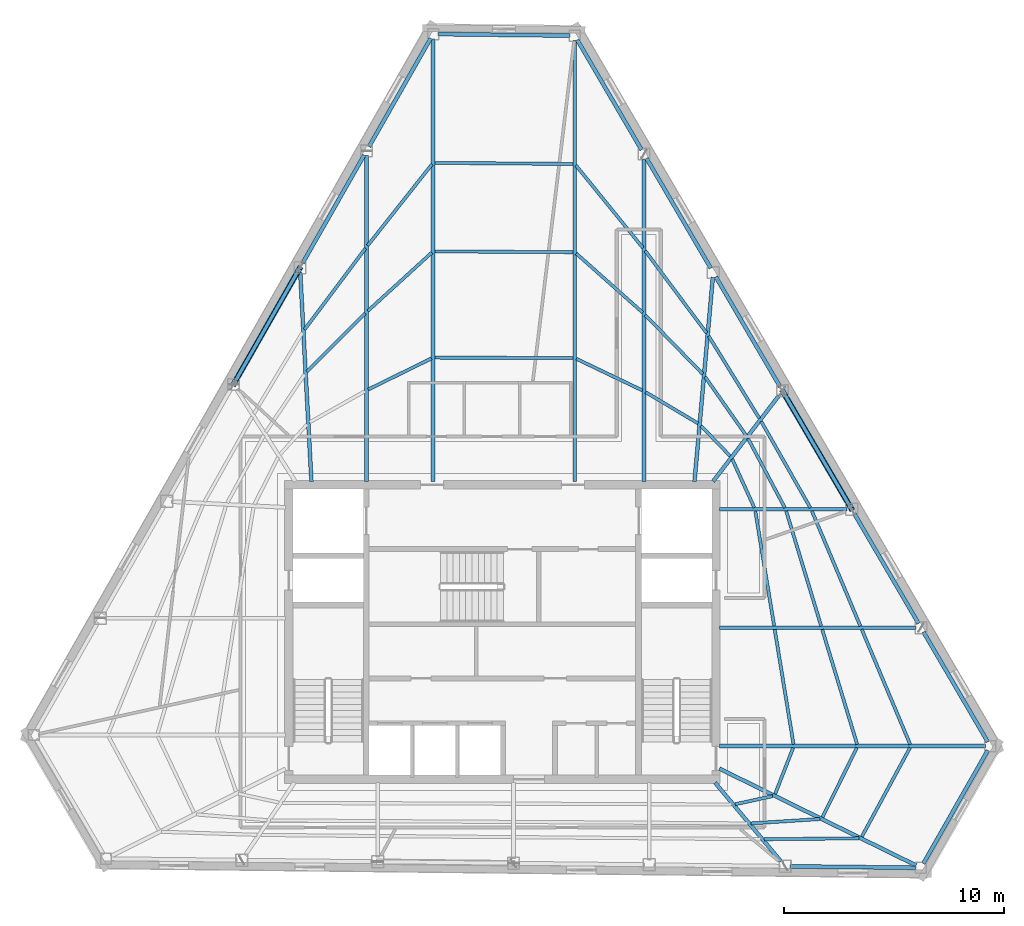
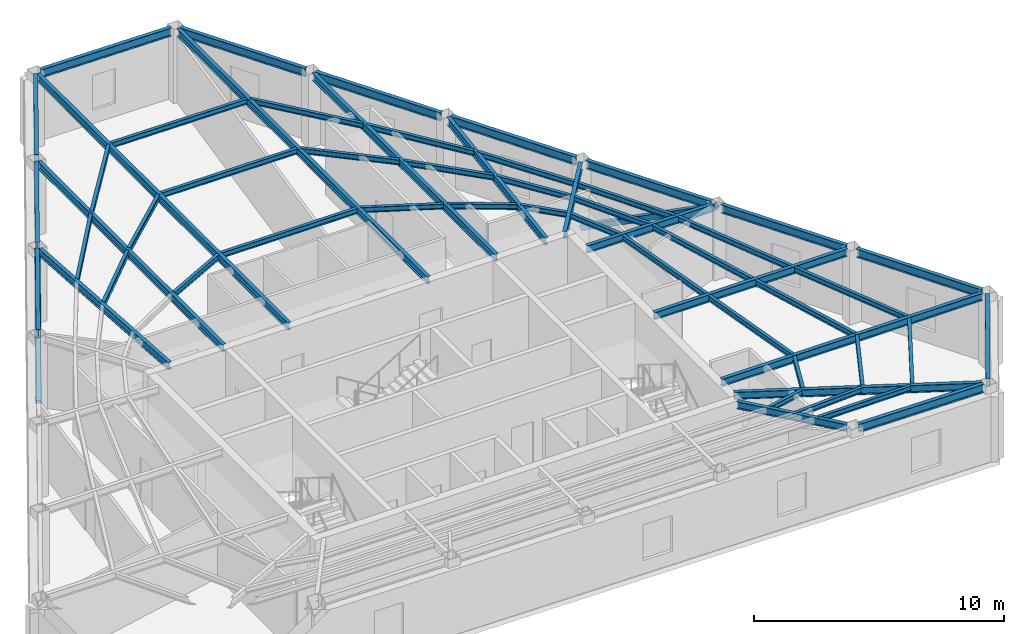
# One storey, part 2 of 10: 56 beams, 2 members.
"""IFC4 building model written with IfcOpenShell, lengths in metres."""

import ifcopenshell
import ifcopenshell.guid

model = None  # the IFC model being written
_history = None  # IfcOwnerHistory: only IFC2X3 demands one
_inside = {}  # id of a spatial element -> (the spatial element, [elements in it])
_under = {}  # id of a project, library or spatial element -> (it, [spatial elements below it])
_declared = {}  # id of a project -> (the project, [libraries it declares])
_typed = {}  # id of a type object -> (the type object, [elements of that type])
_made_of = {}  # id of a material, layer set ... -> (it, [elements and type objects made of it])


def new_model(schema):
    """Start an empty IFC model of exactly this schema.

    Asked for "IFC4X3", IfcOpenShell would pick the latest addendum, in which some entities
    have other attributes; the version numbers below select the first issue.
    IFC2X3 requires an IfcOwnerHistory on every rooted entity: one is made here for all.
    """
    global model, _history
    if schema == "IFC4X3":
        model = ifcopenshell.file(schema_version=(4, 3, 0, 0))
    else:
        model = ifcopenshell.file(schema=schema)
    _inside.clear()
    _under.clear()
    _declared.clear()
    _typed.clear()
    _made_of.clear()
    _history = None
    if model.schema == "IFC2X3":
        org = make("IfcOrganization", Name="unknown")
        user = make(
            "IfcPersonAndOrganization",
            ThePerson=make("IfcPerson", FamilyName="unknown"),
            TheOrganization=org,
        )
        app = make(
            "IfcApplication",
            ApplicationDeveloper=org,
            Version="unknown",
            ApplicationFullName="unknown",
            ApplicationIdentifier="unknown",
        )
        _history = make(
            "IfcOwnerHistory",
            OwningUser=user,
            OwningApplication=app,
            ChangeAction="ADDED",
            CreationDate=0,
        )
    return model


def make(cls, **values):
    """One entity of the class cls with the attributes given. An attribute that is None is left unset."""
    return model.create_entity(
        cls, **{name: value for name, value in values.items() if value is not None}
    )


def rooted(cls, **values):
    """An entity with a GlobalId (a new one), such as an element, a storey or a relation."""
    return make(cls, GlobalId=ifcopenshell.guid.new(), OwnerHistory=_history, **values)


def si_unit(unit_type, name, prefix=None):
    """IfcSIUnit, for example si_unit("LENGTHUNIT", "METRE", prefix="MILLI")."""
    return make("IfcSIUnit", UnitType=unit_type, Prefix=prefix, Name=name)


def assignment(units):
    """IfcUnitAssignment: the units of a project."""
    return None if units is None else make("IfcUnitAssignment", Units=units)


def point(xyz):
    """IfcCartesianPoint."""
    return None if xyz is None else make("IfcCartesianPoint", Coordinates=xyz)


def direction(xyz):
    """IfcDirection."""
    return None if xyz is None else make("IfcDirection", DirectionRatios=xyz)


def frame(location, z_axis=None, x_axis=None):
    """IfcAxis2Placement3D, a coordinate frame: its origin and axes. An axis left out is left unset."""
    return make(
        "IfcAxis2Placement3D",
        Location=point(location),
        Axis=direction(z_axis),
        RefDirection=direction(x_axis),
    )


def frame_2d(location, x_axis=None):
    """IfcAxis2Placement2D, a coordinate frame in the plane: its origin and x axis."""
    return make(
        "IfcAxis2Placement2D", Location=point(location), RefDirection=direction(x_axis)
    )


def origin():
    """The frame at (0, 0, 0) with its axes left unset."""
    return frame((0.0, 0.0, 0.0))


def origin_2d():
    """The frame at (0, 0) in the plane with its x axis left unset."""
    return frame_2d((0.0, 0.0))


def place(relative_to, where):
    """IfcLocalPlacement: puts the frame where relative to a parent placement (None: the world)."""
    return make(
        "IfcLocalPlacement", PlacementRelTo=relative_to, RelativePlacement=where
    )


def context(
    kind, dimensions, precision=None, world=None, true_north=None, identifier=None
):
    """IfcGeometricRepresentationContext, for example the 3D "Model" context."""
    return make(
        "IfcGeometricRepresentationContext",
        ContextIdentifier=identifier,
        ContextType=kind,
        CoordinateSpaceDimension=dimensions,
        Precision=precision,
        WorldCoordinateSystem=world,
        TrueNorth=true_north,
    )


def subcontext(parent, identifier, kind, view, scale=None):
    """IfcGeometricRepresentationSubContext, for example "Body" below "Model"."""
    return make(
        "IfcGeometricRepresentationSubContext",
        ContextIdentifier=identifier,
        ContextType=kind,
        ParentContext=parent,
        TargetScale=scale,
        TargetView=view,
    )


def project(units=None, contexts=None):
    """IfcProject with its units and contexts."""
    return rooted(
        "IfcProject",
        Name="project",
        RepresentationContexts=contexts,
        UnitsInContext=assignment(units),
    )


def spatial(cls, under=None, at=None, **own):
    """A site, building, storey or space (cls), placed at a placement, below another one or the project."""
    s = rooted(cls, ObjectPlacement=at, **own)
    if under is not None:
        _under.setdefault(under.id(), (under, []))[1].append(s)
    return s


def profile(cls, at=None, kind="AREA", **sizes):
    """A parametric profile (cls). Its sizes go by their IFC names, for example OverallWidth=200.0."""
    return make(cls, ProfileType=kind, Position=at, **sizes)


def hollow_rectangle(**sizes):
    """IfcRectangleHollowProfileDef."""
    return profile("IfcRectangleHollowProfileDef", **sizes)


def i_section(**sizes):
    """IfcIShapeProfileDef."""
    return profile("IfcIShapeProfileDef", **sizes)


def extrude(swept, where, along, depth):
    """IfcExtrudedAreaSolid: the profile swept, set in the frame where, extruded along a direction by depth."""
    return make(
        "IfcExtrudedAreaSolid",
        SweptArea=swept,
        Position=where,
        ExtrudedDirection=direction(along),
        Depth=depth,
    )


def shape(context_of_items, identifier, shape_type, items):
    """IfcShapeRepresentation: the items that make up one representation, for example the "Body"."""
    return make(
        "IfcShapeRepresentation",
        ContextOfItems=context_of_items,
        RepresentationIdentifier=identifier,
        RepresentationType=shape_type,
        Items=items,
    )


def material(Name=None, Category=None):
    """IfcMaterial."""
    return make("IfcMaterial", Name=Name, Category=Category)


def material_profile(
    of_material, cross_section, Name=None, Category=None, Priority=None
):
    """IfcMaterialProfile: a cross section and its material."""
    return make(
        "IfcMaterialProfile",
        Name=Name,
        Material=of_material,
        Profile=cross_section,
        Priority=Priority,
        Category=Category,
    )


def profile_set(profiles, Name=None, composite=None):
    """IfcMaterialProfileSet."""
    return make(
        "IfcMaterialProfileSet",
        Name=Name,
        MaterialProfiles=profiles,
        CompositeProfile=composite,
    )


def made_of(thing, what):
    """Note that an element or type object is made of a material, layer set ...; save() writes the relation."""
    if what is not None:
        _made_of.setdefault(what.id(), (what, []))[1].append(thing)
    return thing


def type_object(cls, material=None, **own):
    """A type object (cls), such as IfcWallType, which elements share."""
    return made_of(rooted(cls, **own), material)


def element(
    cls,
    number,
    at=None,
    inside=None,
    cuts=None,
    type_object=None,
    material=None,
    context=None,
    identifier="Body",
    shape_type=None,
    held_by="IfcProductDefinitionShape",
    body=None,
    shapes=None,
    **own,
):
    """One element of the class cls, such as IfcWall. Its Tag is "e" and its number.

    at: its placement. inside: the storey or other place that contains it. cuts: it is an
    opening in that element (IfcRelVoidsElement). A single representation is given by context,
    identifier, shape_type and body (its items); several are given by shapes. held_by: the class
    of the entity that holds the representations. save() writes the other relations.
    """
    e = rooted(cls, Tag="e%d" % number, ObjectPlacement=at, **own)
    if body is not None:
        shapes = [shape(context, identifier, shape_type, body)]
    if shapes is not None:
        e.Representation = make(held_by, Representations=shapes)
    if inside is not None:
        _inside.setdefault(inside.id(), (inside, []))[1].append(e)
    if cuts is not None:
        rooted(
            "IfcRelVoidsElement", RelatingBuildingElement=cuts, RelatedOpeningElement=e
        )
    if type_object is not None:
        _typed.setdefault(type_object.id(), (type_object, []))[1].append(e)
    return made_of(e, material)


def aggregate(whole, parts):
    """IfcRelAggregates: a whole, such as a stair, and the parts it consists of."""
    return rooted("IfcRelAggregates", RelatingObject=whole, RelatedObjects=parts)


def save(model, path):
    """Write the relations noted so far, then the file.

    IfcRelAggregates (storeys below a building ...), IfcRelContainedInSpatialStructure (elements
    in a storey), IfcRelDefinesByType, IfcRelAssociatesMaterial and IfcRelDeclares: one each for
    every whole, place, type object, material and project.
    """
    for whole, parts in _under.values():
        aggregate(whole, parts)
    for where, things in _inside.values():
        rooted(
            "IfcRelContainedInSpatialStructure",
            RelatedElements=things,
            RelatingStructure=where,
        )
    for kind, things in _typed.values():
        rooted("IfcRelDefinesByType", RelatedObjects=things, RelatingType=kind)
    for what, things in _made_of.values():
        rooted("IfcRelAssociatesMaterial", RelatedObjects=things, RelatingMaterial=what)
    for by, libraries in _declared.values():
        rooted("IfcRelDeclares", RelatingContext=by, RelatedDefinitions=libraries)
    model.write(path)


model = new_model("IFC4")

# Units and contexts
model_context = context("Model", 3, precision=1e-05, world=origin(), true_north=direction((0.0, 1.0)))
body_context = subcontext(model_context, "Body", "Model", "MODEL_VIEW")
ifc_project = project(units=[si_unit("LENGTHUNIT", "METRE"), si_unit("AREAUNIT", "SQUARE_METRE"), si_unit("VOLUMEUNIT", "CUBIC_METRE"), si_unit("PLANEANGLEUNIT", "RADIAN"), si_unit("MASSUNIT", "GRAM", prefix="KILO")], contexts=[model_context])

# Site, building, storey
site_placement = place(None, origin())
site = spatial("IfcSite", under=ifc_project, at=site_placement, CompositionType="ELEMENT")
building_placement = place(site_placement, origin())
building = spatial("IfcBuilding", under=site, at=building_placement, Name="Kavelnor Concourse Tower", CompositionType="ELEMENT")
storey_placement = place(building_placement, frame((0.0, 0.0, 251.050048828125)))
storey = spatial("IfcBuildingStorey", under=building, at=storey_placement, Name="L63", CompositionType="ELEMENT", Elevation=251.050048828125)

# Beams
ifc_material = material(Name="Steel Grade 350", Category="steel")
ifc_material_profile_1 = material_profile(ifc_material, i_section(OverallWidth=0.14599609375, OverallDepth=0.256103515625, WebThickness=0.00634765625, FlangeThickness=0.010986328125, at=origin_2d()), Name="250UB37")
ifc_profile_set_1 = profile_set([ifc_material_profile_1], Name="Steel Grade 350")
beam_type_1 = type_object("IfcBeamType", Name="BM-JOIST-250", PredefinedType="JOIST", material=ifc_profile_set_1)
beam_1_placement = place(storey_placement, frame((48.584228515625, 8.26708984375, 3.48193359375), z_axis=(0.977091565739, 0.212819341606, 0.0), x_axis=(-0.212819341606, 0.977091565739, 0.0)))
element("IfcBeam", 1, at=beam_1_placement, inside=storey, type_object=beam_type_1, Name="L63 Secondary Composite Joist 07-1", PredefinedType="JOIST", context=body_context, shape_type="SweptSolid", body=[
    extrude(i_section(OverallWidth=0.14599609375, OverallDepth=0.256103515625, WebThickness=0.00634765625, FlangeThickness=0.010986328125, at=origin_2d()), origin(), (0.0, 0.0, 1.0), 1.74267578125),
])
beam_2_placement = place(storey_placement, frame((49.30419921875, 7.396728515625, 3.48193359375), z_axis=(0.998010196757, 0.063052733243, 0.0), x_axis=(-0.063052733243, 0.998010196757, 0.0)))
element("IfcBeam", 2, at=beam_2_placement, inside=storey, type_object=beam_type_1, Name="L63 Secondary Composite Joist 07-2", PredefinedType="JOIST", context=body_context, shape_type="SweptSolid", body=[
    extrude(i_section(OverallWidth=0.14599609375, OverallDepth=0.256103515625, WebThickness=0.00634765625, FlangeThickness=0.010986328125, at=origin_2d()), origin(), (0.0, 0.0, 1.0), 3.132568359375),
])
beam_3_placement = place(storey_placement, frame((49.903076171875, 6.67724609375, 3.48193359375), z_axis=(0.999954281384, 0.009562172441, 0.0), x_axis=(-0.009562172441, 0.999954281384, 0.0)))
element("IfcBeam", 3, at=beam_3_placement, inside=storey, type_object=beam_type_1, Name="L63 Secondary Composite Joist 07-3", PredefinedType="JOIST", context=body_context, shape_type="SweptSolid", body=[
    extrude(i_section(OverallWidth=0.14599609375, OverallDepth=0.256103515625, WebThickness=0.00634765625, FlangeThickness=0.010986328125, at=origin_2d()), origin(), (0.0, 0.0, 1.0), 4.31494140625),
])
beam_4_placement = place(storey_placement, frame((50.396728515625, 8.731689453125, 3.48193359375), z_axis=(0.363938496644, 0.931422981604, 0.0), x_axis=(-0.931422981604, 0.363938496644, 0.0)))
element("IfcBeam", 4, at=beam_4_placement, inside=storey, type_object=beam_type_1, Name="L63 Secondary Composite Joist 08-1", PredefinedType="JOIST", context=body_context, shape_type="SweptSolid", body=[
    extrude(i_section(OverallWidth=0.14599609375, OverallDepth=0.256103515625, WebThickness=0.00634765625, FlangeThickness=0.010986328125, at=origin_2d()), origin(), (0.0, 0.0, 1.0), 2.25732421875),
])
beam_5_placement = place(storey_placement, frame((52.548583984375, 7.6728515625, 3.48193359375), z_axis=(0.443753156488, 0.89614905909, 0.0), x_axis=(-0.89614905909, 0.443753156488, 0.0)))
element("IfcBeam", 5, at=beam_5_placement, inside=storey, type_object=beam_type_1, Name="L63 Secondary Composite Joist 08-2", PredefinedType="JOIST", context=body_context, shape_type="SweptSolid", body=[
    extrude(i_section(OverallWidth=0.14599609375, OverallDepth=0.256103515625, WebThickness=0.00634765625, FlangeThickness=0.010986328125, at=origin_2d()), origin(), (0.0, 0.0, 1.0), 3.531005859375),
])
beam_6_placement = place(storey_placement, frame((54.3388671875, 6.79150390625, 3.48193359375), z_axis=(0.476624814067, 0.879106811836, 0.0), x_axis=(-0.879106811836, 0.476624814067, 0.0)))
element("IfcBeam", 6, at=beam_6_placement, inside=storey, type_object=beam_type_1, Name="L63 Secondary Composite Joist 08-3", PredefinedType="JOIST", context=body_context, shape_type="SweptSolid", body=[
    extrude(i_section(OverallWidth=0.14599609375, OverallDepth=0.256103515625, WebThickness=0.00634765625, FlangeThickness=0.010986328125, at=origin_2d()), origin(), (0.0, 0.0, 1.0), 4.603515625),
])
beam_7_placement = place(storey_placement, frame((51.23486328125, 10.991455078125, 3.48193359375), z_axis=(-0.161600481046, 0.986856263356, 0.0), x_axis=(-0.986856263356, -0.161600481046, 0.0)))
element("IfcBeam", 7, at=beam_7_placement, inside=storey, type_object=beam_type_1, Name="L63 Secondary Composite Joist 09-1", PredefinedType="JOIST", context=body_context, shape_type="SweptSolid", body=[
    extrude(i_section(OverallWidth=0.14599609375, OverallDepth=0.256103515625, WebThickness=0.00634765625, FlangeThickness=0.010986328125, at=origin_2d()), origin(), (0.0, 0.0, 1.0), 5.292236328125),
])
beam_8_placement = place(storey_placement, frame((54.128173828125, 10.989013671875, 3.48193359375), z_axis=(-0.290941123025, 0.956740959159, 0.0), x_axis=(-0.956740959159, -0.290941123025, 0.0)))
element("IfcBeam", 8, at=beam_8_placement, inside=storey, type_object=beam_type_1, Name="L63 Secondary Composite Joist 09-2", PredefinedType="JOIST", context=body_context, shape_type="SweptSolid", body=[
    extrude(i_section(OverallWidth=0.14599609375, OverallDepth=0.256103515625, WebThickness=0.00634765625, FlangeThickness=0.010986328125, at=origin_2d()), origin(), (0.0, 0.0, 1.0), 5.463623046875),
])
beam_9_placement = place(storey_placement, frame((56.540283203125, 10.986083984375, 3.48193359375), z_axis=(-0.388047388956, 0.921639421859, 0.0), x_axis=(-0.921639421859, -0.388047388956, 0.0)))
element("IfcBeam", 9, at=beam_9_placement, inside=storey, type_object=beam_type_1, Name="L63 Secondary Composite Joist 09-3", PredefinedType="JOIST", context=body_context, shape_type="SweptSolid", body=[
    extrude(i_section(OverallWidth=0.14599609375, OverallDepth=0.256103515625, WebThickness=0.00634765625, FlangeThickness=0.010986328125, at=origin_2d()), origin(), (0.0, 0.0, 1.0), 5.677978515625),
])
beam_10_placement = place(storey_placement, frame((50.353271484375, 16.375732421875, 3.48193359375), z_axis=(-0.161607838348, 0.986855058549, 0.0), x_axis=(-0.986855058549, -0.161607838348, 0.0)))
element("IfcBeam", 10, at=beam_10_placement, inside=storey, type_object=beam_type_1, Name="L63 Secondary Composite Joist 10-1", PredefinedType="JOIST", context=body_context, shape_type="SweptSolid", body=[
    extrude(i_section(OverallWidth=0.14599609375, OverallDepth=0.256103515625, WebThickness=0.00634765625, FlangeThickness=0.010986328125, at=origin_2d()), origin(), (0.0, 0.0, 1.0), 5.2919921875),
])
beam_11_placement = place(storey_placement, frame((52.490966796875, 16.373291015625, 3.48193359375), z_axis=(-0.290941123025, 0.956740959159, 0.0), x_axis=(-0.956740959159, -0.290941123025, 0.0)))
element("IfcBeam", 11, at=beam_11_placement, inside=storey, type_object=beam_type_1, Name="L63 Secondary Composite Joist 10-2", PredefinedType="JOIST", context=body_context, shape_type="SweptSolid", body=[
    extrude(i_section(OverallWidth=0.14599609375, OverallDepth=0.256103515625, WebThickness=0.00634765625, FlangeThickness=0.010986328125, at=origin_2d()), origin(), (0.0, 0.0, 1.0), 5.463623046875),
])
beam_12_placement = place(storey_placement, frame((54.273193359375, 16.37060546875, 3.48193359375), z_axis=(-0.388062766928, 0.921632946961, 0.0), x_axis=(-0.921632946961, -0.388062766928, 0.0)))
element("IfcBeam", 12, at=beam_12_placement, inside=storey, type_object=beam_type_1, Name="L63 Secondary Composite Joist 10-3", PredefinedType="JOIST", context=body_context, shape_type="SweptSolid", body=[
    extrude(i_section(OverallWidth=0.14599609375, OverallDepth=0.256103515625, WebThickness=0.00634765625, FlangeThickness=0.010986328125, at=origin_2d()), origin(), (0.0, 0.0, 1.0), 5.677978515625),
])
beam_13_placement = place(storey_placement, frame((49.450927734375, 21.753662109375, 3.48193359375), z_axis=(-0.414106199902, 0.910228573053, 0.0), x_axis=(-0.910228573053, -0.414106199902, 0.0)))
element("IfcBeam", 13, at=beam_13_placement, inside=storey, type_object=beam_type_1, Name="L63 Secondary Composite Joist 11-1", PredefinedType="JOIST", context=body_context, shape_type="SweptSolid", body=[
    extrude(i_section(OverallWidth=0.14599609375, OverallDepth=0.256103515625, WebThickness=0.00634765625, FlangeThickness=0.010986328125, at=origin_2d()), origin(), (0.0, 0.0, 1.0), 2.426025390625),
])
beam_14_placement = place(storey_placement, frame((50.839111328125, 21.75146484375, 3.48193359375), z_axis=(-0.469495907621, 0.88293464805, 0.0), x_axis=(-0.88293464805, -0.469495907621, 0.0)))
element("IfcBeam", 14, at=beam_14_placement, inside=storey, type_object=beam_type_1, Name="L63 Secondary Composite Joist 11-2", PredefinedType="JOIST", context=body_context, shape_type="SweptSolid", body=[
    extrude(i_section(OverallWidth=0.14599609375, OverallDepth=0.256103515625, WebThickness=0.00634765625, FlangeThickness=0.010986328125, at=origin_2d()), origin(), (0.0, 0.0, 1.0), 3.5625),
])
beam_15_placement = place(storey_placement, frame((51.99755859375, 21.75048828125, 3.48193359375), z_axis=(-0.494455232513, 0.869203096543, 0.0), x_axis=(-0.869203096543, -0.494455232513, 0.0)))
element("IfcBeam", 15, at=beam_15_placement, inside=storey, type_object=beam_type_1, Name="L63 Secondary Composite Joist 11-3", PredefinedType="JOIST", context=body_context, shape_type="SweptSolid", body=[
    extrude(i_section(OverallWidth=0.14599609375, OverallDepth=0.256103515625, WebThickness=0.00634765625, FlangeThickness=0.010986328125, at=origin_2d()), origin(), (0.0, 0.0, 1.0), 4.515380859375),
])
beam_16_placement = place(storey_placement, frame((48.355712890625, 24.095703125, 3.48193359375), z_axis=(-0.693458712292, 0.720496366643, 0.0), x_axis=(-0.720496366643, -0.693458712292, 0.0)))
element("IfcBeam", 16, at=beam_16_placement, inside=storey, type_object=beam_type_1, Name="L63 Secondary Composite Joist 12-1", PredefinedType="JOIST", context=body_context, shape_type="SweptSolid", body=[
    extrude(i_section(OverallWidth=0.14599609375, OverallDepth=0.256103515625, WebThickness=0.00634765625, FlangeThickness=0.010986328125, at=origin_2d()), origin(), (0.0, 0.0, 1.0), 1.92333984375),
])
beam_17_placement = place(storey_placement, frame((49.0810546875, 25.03662109375, 3.48193359375), z_axis=(-0.573950476696, 0.818890011113, 0.0), x_axis=(-0.818890011113, -0.573950476696, 0.0)))
element("IfcBeam", 17, at=beam_17_placement, inside=storey, type_object=beam_type_1, Name="L63 Secondary Composite Joist 12-2", PredefinedType="JOIST", context=body_context, shape_type="SweptSolid", body=[
    extrude(i_section(OverallWidth=0.14599609375, OverallDepth=0.256103515625, WebThickness=0.00634765625, FlangeThickness=0.010986328125, at=origin_2d()), origin(), (0.0, 0.0, 1.0), 3.25537109375),
])
beam_18_placement = place(storey_placement, frame((49.681396484375, 25.81640625, 3.48193359375), z_axis=(-0.524745132544, 0.851259388125, 0.0), x_axis=(-0.851259388125, -0.524745132544, 0.0)))
element("IfcBeam", 18, at=beam_18_placement, inside=storey, type_object=beam_type_1, Name="L63 Secondary Composite Joist 12-3", PredefinedType="JOIST", context=body_context, shape_type="SweptSolid", body=[
    extrude(i_section(OverallWidth=0.14599609375, OverallDepth=0.256103515625, WebThickness=0.00634765625, FlangeThickness=0.010986328125, at=origin_2d()), origin(), (0.0, 0.0, 1.0), 4.394287109375),
])
beam_19_placement = place(storey_placement, frame((46.894775390625, 25.58251953125, 3.48193359375), z_axis=(-0.85885408237, 0.512220328761, 0.0), x_axis=(-0.512220328761, -0.85885408237, 0.0)))
element("IfcBeam", 19, at=beam_19_placement, inside=storey, type_object=beam_type_1, Name="L63 Secondary Composite Joist 13-1", PredefinedType="JOIST", context=body_context, shape_type="SweptSolid", body=[
    extrude(i_section(OverallWidth=0.14599609375, OverallDepth=0.256103515625, WebThickness=0.00634765625, FlangeThickness=0.010986328125, at=origin_2d()), origin(), (0.0, 0.0, 1.0), 2.779296875),
])
beam_20_placement = place(storey_placement, frame((47.1083984375, 27.828369140625, 3.48193359375), z_axis=(-0.697954751692, 0.71614186066, 0.0), x_axis=(-0.71614186066, -0.697954751692, 0.0)))
element("IfcBeam", 20, at=beam_20_placement, inside=storey, type_object=beam_type_1, Name="L63 Secondary Composite Joist 13-2", PredefinedType="JOIST", context=body_context, shape_type="SweptSolid", body=[
    extrude(i_section(OverallWidth=0.14599609375, OverallDepth=0.256103515625, WebThickness=0.00634765625, FlangeThickness=0.010986328125, at=origin_2d()), origin(), (0.0, 0.0, 1.0), 3.745361328125),
])
beam_21_placement = place(storey_placement, frame((47.283203125, 29.692626953125, 3.48193359375), z_axis=(-0.598335731467, 0.801245500736, 0.0), x_axis=(-0.801245500736, -0.598335731467, 0.0)))
element("IfcBeam", 21, at=beam_21_placement, inside=storey, type_object=beam_type_1, Name="L63 Secondary Composite Joist 13-3", PredefinedType="JOIST", context=body_context, shape_type="SweptSolid", body=[
    extrude(i_section(OverallWidth=0.14599609375, OverallDepth=0.256103515625, WebThickness=0.00634765625, FlangeThickness=0.010986328125, at=origin_2d()), origin(), (0.0, 0.0, 1.0), 4.67431640625),
])
beam_22_placement = place(storey_placement, frame((44.36328125, 27.08349609375, 3.48193359375), z_axis=(-0.901929200126, 0.431883917229, 0.0), x_axis=(-0.431883917229, -0.901929200126, 0.0)))
element("IfcBeam", 22, at=beam_22_placement, inside=storey, type_object=beam_type_1, Name="L63 Secondary Composite Joist 14-1", PredefinedType="JOIST", context=body_context, shape_type="SweptSolid", body=[
    extrude(i_section(OverallWidth=0.14599609375, OverallDepth=0.256103515625, WebThickness=0.00634765625, FlangeThickness=0.010986328125, at=origin_2d()), origin(), (0.0, 0.0, 1.0), 3.32666015625),
])
beam_23_placement = place(storey_placement, frame((44.3759765625, 30.623779296875, 3.48193359375), z_axis=(-0.747256282488, 0.664535964627, 0.0), x_axis=(-0.664535964627, -0.747256282488, 0.0)))
element("IfcBeam", 23, at=beam_23_placement, inside=storey, type_object=beam_type_1, Name="L63 Secondary Composite Joist 14-2", PredefinedType="JOIST", context=body_context, shape_type="SweptSolid", body=[
    extrude(i_section(OverallWidth=0.14599609375, OverallDepth=0.256103515625, WebThickness=0.00634765625, FlangeThickness=0.010986328125, at=origin_2d()), origin(), (0.0, 0.0, 1.0), 4.04931640625),
])
beam_24_placement = place(storey_placement, frame((44.385498046875, 33.5673828125, 3.48193359375), z_axis=(-0.630423247611, 0.776251588644, 0.0), x_axis=(-0.776251588644, -0.630423247611, 0.0)))
element("IfcBeam", 24, at=beam_24_placement, inside=storey, type_object=beam_type_1, Name="L63 Secondary Composite Joist 14-3", PredefinedType="JOIST", context=body_context, shape_type="SweptSolid", body=[
    extrude(i_section(OverallWidth=0.14599609375, OverallDepth=0.256103515625, WebThickness=0.00634765625, FlangeThickness=0.010986328125, at=origin_2d()), origin(), (0.0, 0.0, 1.0), 4.830078125),
])
for number, where, z_axis, x_axis, name in (
    (25, (41.206787109375, 28.555908203125, 3.48193359375), (-0.999995038677, 0.003150019372, 0.0), (-0.003150019372, -0.999995038677, 0.0), "L63 Secondary Composite Joist 15-1"),
    (26, (41.206787109375, 33.36962890625, 3.48193359375), (-0.999982986167, 0.0058332989, 0.0), (-0.0058332989, -0.999982986167, 0.0), "L63 Secondary Composite Joist 15-2"),
):
    element("IfcBeam", number, at=place(storey_placement, frame(where, z_axis=z_axis, x_axis=x_axis)), inside=storey, type_object=beam_type_1, Name=name, PredefinedType="JOIST", context=body_context, shape_type="SweptSolid", body=[
        extrude(i_section(OverallWidth=0.14599609375, OverallDepth=0.256103515625, WebThickness=0.00634765625, FlangeThickness=0.010986328125, at=origin_2d()), origin(), (0.0, 0.0, 1.0), 6.27783203125),
    ])
beam_25_placement = place(storey_placement, frame((41.206787109375, 37.381103515625, 3.48193359375), z_axis=(-0.999967599605, 0.008049828619, 0.0), x_axis=(-0.008049828619, -0.999967599605, 0.0)))
element("IfcBeam", 27, at=beam_25_placement, inside=storey, type_object=beam_type_1, Name="L63 Secondary Composite Joist 15-3", PredefinedType="JOIST", context=body_context, shape_type="SweptSolid", body=[
    extrude(i_section(OverallWidth=0.14599609375, OverallDepth=0.256103515625, WebThickness=0.00634765625, FlangeThickness=0.010986328125, at=origin_2d()), origin(), (0.0, 0.0, 1.0), 6.278076171875),
])
beam_26_placement = place(storey_placement, frame((34.773193359375, 28.539794921875, 3.48193359375), z_axis=(-0.897495151022, -0.44102432347, 0.0), x_axis=(0.44102432347, -0.897495151022, 0.0)))
element("IfcBeam", 28, at=beam_26_placement, inside=storey, type_object=beam_type_1, Name="L63 Secondary Composite Joist 16-1", PredefinedType="JOIST", context=body_context, shape_type="SweptSolid", body=[
    extrude(i_section(OverallWidth=0.14599609375, OverallDepth=0.256103515625, WebThickness=0.00634765625, FlangeThickness=0.010986328125, at=origin_2d()), origin(), (0.0, 0.0, 1.0), 3.20849609375),
])
beam_27_placement = place(storey_placement, frame((34.786376953125, 33.351318359375, 3.48193359375), z_axis=(-0.738672230038, -0.674064786627, 0.0), x_axis=(0.674064786627, -0.738672230038, 0.0)))
element("IfcBeam", 29, at=beam_27_placement, inside=storey, type_object=beam_type_1, Name="L63 Secondary Composite Joist 16-2", PredefinedType="JOIST", context=body_context, shape_type="SweptSolid", body=[
    extrude(i_section(OverallWidth=0.14599609375, OverallDepth=0.256103515625, WebThickness=0.00634765625, FlangeThickness=0.010986328125, at=origin_2d()), origin(), (0.0, 0.0, 1.0), 3.933837890625),
])
beam_28_placement = place(storey_placement, frame((34.7958984375, 37.367919921875, 3.48193359375), z_axis=(-0.62059945225, -0.78412774461, 0.0), x_axis=(0.78412774461, -0.62059945225, 0.0)))
element("IfcBeam", 30, at=beam_28_placement, inside=storey, type_object=beam_type_1, Name="L63 Secondary Composite Joist 16-3", PredefinedType="JOIST", context=body_context, shape_type="SweptSolid", body=[
    extrude(i_section(OverallWidth=0.14599609375, OverallDepth=0.256103515625, WebThickness=0.00634765625, FlangeThickness=0.010986328125, at=origin_2d()), origin(), (0.0, 0.0, 1.0), 4.71337890625),
])
beam_29_placement = place(storey_placement, frame((31.76171875, 30.58642578125, 3.48193359375), z_axis=(-0.708245673026, -0.705966052045, 0.0), x_axis=(0.705966052045, -0.708245673026, 0.0)))
element("IfcBeam", 31, at=beam_29_placement, inside=storey, type_object=beam_type_1, Name="L63 Secondary Composite Joist 17-2", PredefinedType="JOIST", context=body_context, shape_type="SweptSolid", body=[
    extrude(i_section(OverallWidth=0.14599609375, OverallDepth=0.256103515625, WebThickness=0.00634765625, FlangeThickness=0.010986328125, at=origin_2d()), origin(), (0.0, 0.0, 1.0), 3.748291015625),
])
beam_30_placement = place(storey_placement, frame((31.770751953125, 33.5419921875, 3.48193359375), z_axis=(-0.600583300443, -0.799562192221, 0.0), x_axis=(0.799562192221, -0.600583300443, 0.0)))
element("IfcBeam", 32, at=beam_30_placement, inside=storey, type_object=beam_type_1, Name="L63 Secondary Composite Joist 17-3", PredefinedType="JOIST", context=body_context, shape_type="SweptSolid", body=[
    extrude(i_section(OverallWidth=0.14599609375, OverallDepth=0.256103515625, WebThickness=0.00634765625, FlangeThickness=0.010986328125, at=origin_2d()), origin(), (0.0, 0.0, 1.0), 4.61962890625),
])
ifc_material_profile_2 = material_profile(ifc_material, i_section(OverallWidth=0.172119140625, OverallDepth=0.35888671875, WebThickness=0.008056640625, FlangeThickness=0.012939453125, at=origin_2d()), Name="360UB56")
ifc_profile_set_2 = profile_set([ifc_material_profile_2], Name="Steel Grade 350")
beam_type_2 = type_object("IfcBeamType", Name="BM-PRIMARY-360", PredefinedType="BEAM", material=ifc_profile_set_2)
beam_31_placement = place(storey_placement, frame((34.846923828125, 22.93994140625, 3.430419921875), z_axis=(0.0, 1.0, 0.0), x_axis=(-1.0, 0.0, 0.0)))
element("IfcBeam", 33, at=beam_31_placement, inside=storey, type_object=beam_type_2, Name="L63 Primary Floor Girder F0-B0", PredefinedType="BEAM", context=body_context, shape_type="SweptSolid", body=[
    extrude(i_section(OverallWidth=0.172119140625, OverallDepth=0.35888671875, WebThickness=0.008056640625, FlangeThickness=0.012939453125, at=origin_2d()), origin(), (0.0, 0.0, 1.0), 20.128173828125),
])
beam_32_placement = place(storey_placement, frame((31.81982421875, 22.93994140625, 3.430419921875), z_axis=(0.0, 1.0, 0.0), x_axis=(-1.0, 0.0, 0.0)))
element("IfcBeam", 34, at=beam_32_placement, inside=storey, type_object=beam_type_2, Name="L63 Primary Floor Girder F0-B1", PredefinedType="BEAM", context=body_context, shape_type="SweptSolid", body=[
    extrude(i_section(OverallWidth=0.172119140625, OverallDepth=0.35888671875, WebThickness=0.008056640625, FlangeThickness=0.012939453125, at=origin_2d()), origin(), (0.0, 0.0, 1.0), 14.816162109375),
])
beam_33_placement = place(storey_placement, frame((29.313720703125, 22.940185546875, 3.430419921875), z_axis=(-0.05348375925, 0.998568719466, 0.0), x_axis=(-0.998568719466, -0.05348375925, 0.0)))
element("IfcBeam", 35, at=beam_33_placement, inside=storey, type_object=beam_type_2, Name="L63 Primary Floor Girder F0-B2", PredefinedType="BEAM", context=body_context, shape_type="SweptSolid", body=[
    extrude(i_section(OverallWidth=0.172119140625, OverallDepth=0.35888671875, WebThickness=0.008056640625, FlangeThickness=0.012939453125, at=origin_2d()), origin(), (0.0, 0.0, 1.0), 9.517578125),
])
beam_34_placement = place(storey_placement, frame((47.666015625, 9.250732421875, 3.430419921875), z_axis=(0.641908021477, -0.766781645557, 0.0), x_axis=(0.766781645557, 0.641908021477, 0.0)))
element("IfcBeam", 36, at=beam_34_placement, inside=storey, type_object=beam_type_2, Name="L63 Primary Floor Girder F1-B5", PredefinedType="BEAM", context=body_context, shape_type="SweptSolid", body=[
    extrude(i_section(OverallWidth=0.172119140625, OverallDepth=0.35888671875, WebThickness=0.008056640625, FlangeThickness=0.012939453125, at=origin_2d()), origin(), (0.0, 0.0, 1.0), 4.662841796875),
])
beam_35_placement = place(storey_placement, frame((47.864013671875, 9.887451171875, 3.430419921875), z_axis=(0.897183971648, -0.441657017399, 0.0), x_axis=(0.441657017399, 0.897183971648, 0.0)))
element("IfcBeam", 37, at=beam_35_placement, inside=storey, type_object=beam_type_2, Name="L63 Primary Floor Girder F1-B6", PredefinedType="BEAM", context=body_context, shape_type="SweptSolid", body=[
    extrude(i_section(OverallWidth=0.172119140625, OverallDepth=0.35888671875, WebThickness=0.008056640625, FlangeThickness=0.012939453125, at=origin_2d()), origin(), (0.0, 0.0, 1.0), 9.962890625),
])
beam_36_placement = place(storey_placement, frame((47.860107421875, 10.91064453125, 3.430419921875), z_axis=(1.0, 0.0, 0.0), x_axis=(0.0, 1.0, 0.0)))
element("IfcBeam", 38, at=beam_36_placement, inside=storey, type_object=beam_type_2, Name="L63 Primary Floor Girder F2-B0", PredefinedType="BEAM", context=body_context, shape_type="SweptSolid", body=[
    extrude(i_section(OverallWidth=0.172119140625, OverallDepth=0.35888671875, WebThickness=0.008056640625, FlangeThickness=0.012939453125, at=origin_2d()), origin(), (0.0, 0.0, 1.0), 12.099853515625),
])
beam_37_placement = place(storey_placement, frame((47.860107421875, 16.294921875, 3.430419921875), z_axis=(1.0, 0.0, 0.0), x_axis=(0.0, 1.0, 0.0)))
element("IfcBeam", 39, at=beam_37_placement, inside=storey, type_object=beam_type_2, Name="L63 Primary Floor Girder F2-B1", PredefinedType="BEAM", context=body_context, shape_type="SweptSolid", body=[
    extrude(i_section(OverallWidth=0.172119140625, OverallDepth=0.35888671875, WebThickness=0.008056640625, FlangeThickness=0.012939453125, at=origin_2d()), origin(), (0.0, 0.0, 1.0), 8.951416015625),
])
beam_38_placement = place(storey_placement, frame((47.860107421875, 21.67919921875, 3.430419921875), z_axis=(1.0, 0.0, 0.0), x_axis=(0.0, 1.0, 0.0)))
element("IfcBeam", 40, at=beam_38_placement, inside=storey, type_object=beam_type_2, Name="L63 Primary Floor Girder F2-B2", PredefinedType="BEAM", context=body_context, shape_type="SweptSolid", body=[
    extrude(i_section(OverallWidth=0.172119140625, OverallDepth=0.35888671875, WebThickness=0.008056640625, FlangeThickness=0.012939453125, at=origin_2d()), origin(), (0.0, 0.0, 1.0), 5.802734375),
])
beam_39_placement = place(storey_placement, frame((47.57763671875, 22.9482421875, 3.430419921875), z_axis=(0.608672161295, 0.793421829839, 0.0), x_axis=(-0.793421829839, 0.608672161295, 0.0)))
element("IfcBeam", 41, at=beam_39_placement, inside=storey, type_object=beam_type_2, Name="L63 Primary Floor Girder F2-B3", PredefinedType="BEAM", context=body_context, shape_type="SweptSolid", body=[
    extrude(i_section(OverallWidth=0.172119140625, OverallDepth=0.35888671875, WebThickness=0.008056640625, FlangeThickness=0.012939453125, at=origin_2d()), origin(), (0.0, 0.0, 1.0), 4.898681640625),
])
beam_40_placement = place(storey_placement, frame((46.7314453125, 22.940185546875, 3.430419921875), z_axis=(0.089518226726, 0.995985184169, 0.0), x_axis=(-0.995985184169, 0.089518226726, 0.0)))
element("IfcBeam", 42, at=beam_40_placement, inside=storey, type_object=beam_type_2, Name="L63 Primary Floor Girder F2-B4", PredefinedType="BEAM", context=body_context, shape_type="SweptSolid", body=[
    extrude(i_section(OverallWidth=0.172119140625, OverallDepth=0.35888671875, WebThickness=0.008056640625, FlangeThickness=0.012939453125, at=origin_2d()), origin(), (0.0, 0.0, 1.0), 9.324462890625),
])
beam_41_placement = place(storey_placement, frame((44.437255859375, 22.93994140625, 3.430419921875), z_axis=(0.0, 1.0, 0.0), x_axis=(-1.0, 0.0, 0.0)))
element("IfcBeam", 43, at=beam_41_placement, inside=storey, type_object=beam_type_2, Name="L63 Primary Floor Girder F2-B5", PredefinedType="BEAM", context=body_context, shape_type="SweptSolid", body=[
    extrude(i_section(OverallWidth=0.172119140625, OverallDepth=0.35888671875, WebThickness=0.008056640625, FlangeThickness=0.012939453125, at=origin_2d()), origin(), (0.0, 0.0, 1.0), 14.671875),
])
beam_42_placement = place(storey_placement, frame((41.288818359375, 22.93994140625, 3.430419921875), z_axis=(0.0, 1.0, 0.0), x_axis=(-1.0, 0.0, 0.0)))
element("IfcBeam", 44, at=beam_42_placement, inside=storey, type_object=beam_type_2, Name="L63 Primary Floor Girder F2-B6", PredefinedType="BEAM", context=body_context, shape_type="SweptSolid", body=[
    extrude(i_section(OverallWidth=0.172119140625, OverallDepth=0.35888671875, WebThickness=0.008056640625, FlangeThickness=0.012939453125, at=origin_2d()), origin(), (0.0, 0.0, 1.0), 20.05615234375),
])
ifc_material_profile_3 = material_profile(ifc_material, i_section(OverallWidth=0.177978515625, OverallDepth=0.406005859375, WebThickness=0.0078125, FlangeThickness=0.0126953125, at=origin_2d()), Name="410UB59")
ifc_profile_set_3 = profile_set([ifc_material_profile_3], Name="Steel Grade 350")
beam_type_3 = type_object("IfcBeamType", Name="BM-SPANDREL-Z4", PredefinedType="SPANDREL", material=ifc_profile_set_3)
for number, where, z_axis, x_axis, name in (
    (45, (34.735595703125, 43.0927734375, 3.406982421875), (-0.495089497601, -0.868841981816, 0.0), (0.868841981816, -0.495089497601, 0.0), "L63 Perimeter Tube Spandrel Beam F0-B0"),
    (46, (31.70849609375, 37.78076171875, 3.406982421875), (-0.495089497601, -0.868841981816, 0.0), (0.868841981816, -0.495089497601, 0.0), "L63 Perimeter Tube Spandrel Beam F0-B1"),
    (47, (28.681396484375, 32.46875, 3.406982421875), (-0.495089497601, -0.868841981816, 0.0), (0.868841981816, -0.495089497601, 0.0), "L63 Perimeter Tube Spandrel Beam F0-B2"),
):
    element("IfcBeam", number, at=place(storey_placement, frame(where, z_axis=z_axis, x_axis=x_axis)), inside=storey, type_object=beam_type_3, Name=name, PredefinedType="SPANDREL", context=body_context, shape_type="SweptSolid", body=[
        extrude(i_section(OverallWidth=0.177978515625, OverallDepth=0.406005859375, WebThickness=0.0078125, FlangeThickness=0.0126953125, at=origin_2d()), origin(), (0.0, 0.0, 1.0), 5.6640625),
    ])
beam_43_placement = place(storey_placement, frame((41.063720703125, 43.218505859375, 3.406982421875), z_axis=(-0.999937226753, 0.011204577351, 0.0), x_axis=(-0.011204577351, -0.999937226753, 0.0)))
element("IfcBeam", 48, at=beam_43_placement, inside=storey, type_object=beam_type_3, Name="L63 Chamfer Facet Spandrel Beam C0", PredefinedType="SPANDREL", context=body_context, shape_type="SweptSolid", body=[
    extrude(i_section(OverallWidth=0.177978515625, OverallDepth=0.406005859375, WebThickness=0.0078125, FlangeThickness=0.0126953125, at=origin_2d()), origin(), (0.0, 0.0, 1.0), 5.9921875),
])
beam_44_placement = place(storey_placement, frame((51.076171875, 5.443603515625, 3.406982421875), z_axis=(0.999937124599, -0.011213690251, 0.0), x_axis=(0.011213690251, 0.999937124599, 0.0)))
element("IfcBeam", 49, at=beam_44_placement, inside=storey, type_object=beam_type_3, Name="L63 Perimeter Tube Spandrel Beam F1-B5", PredefinedType="SPANDREL", context=body_context, shape_type="SweptSolid", body=[
    extrude(i_section(OverallWidth=0.177978515625, OverallDepth=0.406005859375, WebThickness=0.0078125, FlangeThickness=0.0126953125, at=origin_2d()), origin(), (0.0, 0.0, 1.0), 5.725830078125),
])
for number, where, z_axis, x_axis, name in (
    (50, (60.06640625, 11.104736328125, 3.406982421875), (-0.504791388124, 0.863241365133, 0.0), (-0.863241365133, -0.504791388124, 0.0), "L63 Perimeter Tube Spandrel Beam F2-B0"),
    (51, (56.91796875, 16.489013671875, 3.406982421875), (-0.504791388124, 0.863241365133, 0.0), (-0.863241365133, -0.504791388124, 0.0), "L63 Perimeter Tube Spandrel Beam F2-B1"),
    (52, (53.769287109375, 21.873291015625, 3.406982421875), (-0.504791388124, 0.863241365133, 0.0), (-0.863241365133, -0.504791388124, 0.0), "L63 Perimeter Tube Spandrel Beam F2-B2"),
    (53, (50.620849609375, 27.257568359375, 3.406982421875), (-0.504791388124, 0.863241365133, 0.0), (-0.863241365133, -0.504791388124, 0.0), "L63 Perimeter Tube Spandrel Beam F2-B3"),
    (54, (47.472412109375, 32.641845703125, 3.406982421875), (-0.50482282313, 0.863222982344, 0.0), (-0.863222982344, -0.50482282313, 0.0), "L63 Perimeter Tube Spandrel Beam F2-B4"),
):
    element("IfcBeam", number, at=place(storey_placement, frame(where, z_axis=z_axis, x_axis=x_axis)), inside=storey, type_object=beam_type_3, Name=name, PredefinedType="SPANDREL", context=body_context, shape_type="SweptSolid", body=[
        extrude(i_section(OverallWidth=0.177978515625, OverallDepth=0.406005859375, WebThickness=0.0078125, FlangeThickness=0.0126953125, at=origin_2d()), origin(), (0.0, 0.0, 1.0), 5.787353515625),
    ])
beam_45_placement = place(storey_placement, frame((44.32373046875, 38.02587890625, 3.406982421875), z_axis=(-0.504773006071, 0.86325211401, 0.0), x_axis=(-0.86325211401, -0.504773006071, 0.0)))
element("IfcBeam", 55, at=beam_45_placement, inside=storey, type_object=beam_type_3, Name="L63 Perimeter Tube Spandrel Beam F2-B5", PredefinedType="SPANDREL", context=body_context, shape_type="SweptSolid", body=[
    extrude(i_section(OverallWidth=0.177978515625, OverallDepth=0.406005859375, WebThickness=0.0078125, FlangeThickness=0.0126953125, at=origin_2d()), origin(), (0.0, 0.0, 1.0), 5.78759765625),
])
beam_46_placement = place(storey_placement, frame((57.13818359375, 5.572509765625, 3.406982421875), z_axis=(0.495094698717, 0.86883901806, 0.0), x_axis=(-0.86883901806, 0.495094698717, 0.0)))
element("IfcBeam", 56, at=beam_46_placement, inside=storey, type_object=beam_type_3, Name="L63 Chamfer Facet Spandrel Beam C2", PredefinedType="SPANDREL", context=body_context, shape_type="SweptSolid", body=[
    extrude(i_section(OverallWidth=0.177978515625, OverallDepth=0.406005859375, WebThickness=0.0078125, FlangeThickness=0.0126953125, at=origin_2d()), origin(), (0.0, 0.0, 1.0), 5.9189453125),
])

# Members
ifc_material_profile_4 = material_profile(ifc_material, hollow_rectangle(XDim=0.25, YDim=0.25, WallThickness=0.01611328125, at=origin_2d()), Name="SHS 250x250x16")
ifc_profile_set_4 = profile_set([ifc_material_profile_4], Name="Steel Grade 350")
member_type = type_object("IfcMemberType", Name="MBR-TUBE-DIAG-Z4", PredefinedType="BRACE", material=ifc_profile_set_4)
member_1_placement = place(storey_placement, frame((25.765869140625, 27.352294921875, 0.219970703125), z_axis=(0.439042912164, 0.770440816425, 0.462236162221), x_axis=(-0.868829834203, 0.49511081507, 0.0)))
element("IfcMember", 57, at=member_1_placement, inside=storey, type_object=member_type, Name="L63 Framed-Tube Bracing Diagonal F0-B2", PredefinedType="BRACE", context=body_context, shape_type="SweptSolid", body=[
    extrude(hollow_rectangle(XDim=0.25, YDim=0.25, WallThickness=0.01611328125, at=origin_2d()), origin(), (0.0, 0.0, 1.0), 6.894775390625),
])
member_2_placement = place(storey_placement, frame((50.734375, 27.063232421875, 0.219970703125), z_axis=(0.449513045168, -0.768696586932, 0.455020416534), x_axis=(0.863237489048, 0.50479801654, 0.0)))
element("IfcMember", 58, at=member_2_placement, inside=storey, type_object=member_type, Name="L63 Framed-Tube Bracing Diagonal F2-B2", PredefinedType="BRACE", context=body_context, shape_type="SweptSolid", body=[
    extrude(hollow_rectangle(XDim=0.25, YDim=0.25, WallThickness=0.01611328125, at=origin_2d()), origin(), (0.0, 0.0, 1.0), 7.004150390625),
])

save(model, "model.ifc")
